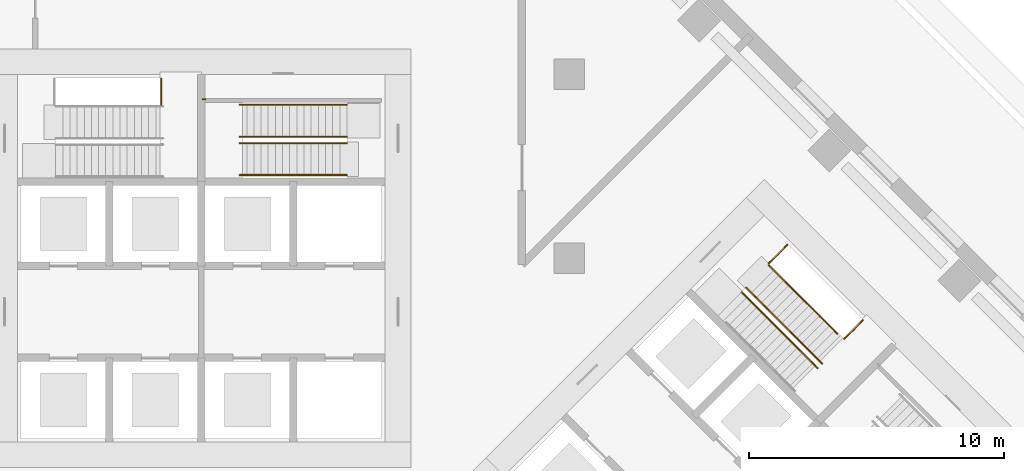
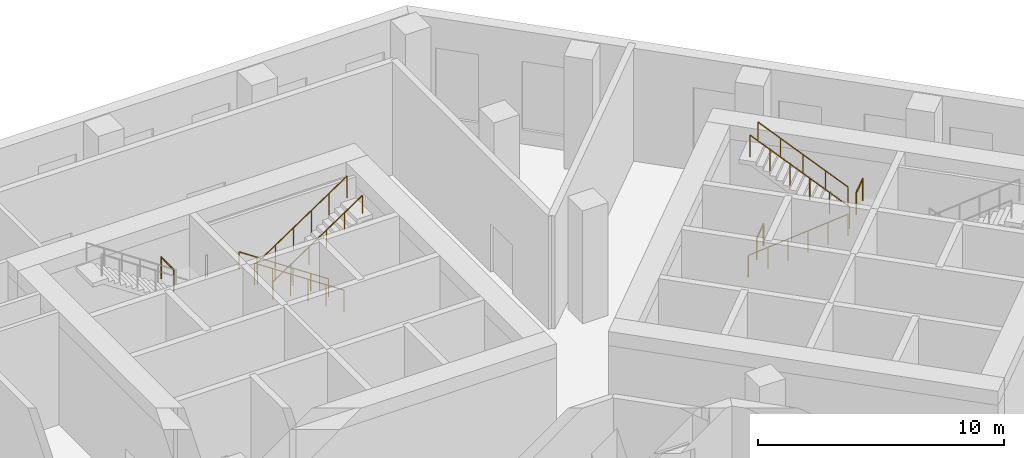
# One storey, part 14 of 15: 11 railings.
"""IFC4 building model written with IfcOpenShell, lengths in metres."""

from ifc_helpers import new_model, si_unit, direction, frame, origin, origin_2d, place, context, subcontext, project, spatial, circle, extrude, material, type_object, element, save


model = new_model("IFC4")

# Units and contexts
model_context = context("Model", 3, precision=1e-05, world=origin(), true_north=direction((0.0, 1.0)))
body_context = subcontext(model_context, "Body", "Model", "MODEL_VIEW")
ifc_project = project(units=[si_unit("LENGTHUNIT", "METRE"), si_unit("AREAUNIT", "SQUARE_METRE"), si_unit("VOLUMEUNIT", "CUBIC_METRE"), si_unit("PLANEANGLEUNIT", "RADIAN"), si_unit("MASSUNIT", "GRAM", prefix="KILO")], contexts=[model_context])

# Site, building, storey
site_placement = place(None, origin())
site = spatial("IfcSite", under=ifc_project, at=site_placement, CompositionType="ELEMENT")
building_placement = place(site_placement, origin())
building = spatial("IfcBuilding", under=site, at=building_placement, Name="Windrow Commons", CompositionType="ELEMENT")
storey_placement = place(building_placement, origin())
storey = spatial("IfcBuildingStorey", under=building, at=storey_placement, Name="L00", CompositionType="ELEMENT", Elevation=0.0)

# Railings
ifc_material_1 = material(Name="Steel S355", Category="steel")
railing_type_1 = type_object("IfcRailingType", Name="Core stair guard 1100", PredefinedType="GUARDRAIL", material=ifc_material_1)
railing_1_placement = place(storey_placement, frame((63.23, 63.6, 3.0)))
element("IfcRailing", 1, at=railing_1_placement, inside=storey, type_object=railing_type_1, Name="L00 ST-A1 stair guard 4", PredefinedType="GUARDRAIL", context=body_context, shape_type="SweptSolid", body=[
    extrude(circle(Radius=0.024, at=origin_2d()), frame((0.0, 0.0, 1.076), z_axis=(0.0, 1.0, 0.0), x_axis=(-1.0, 0.0, 0.0)), (0.0, 0.0, 1.0), 1.03),
    extrude(circle(Radius=0.021, at=origin_2d()), origin(), (0.0, 0.0, 1.0), 1.052),
    extrude(circle(Radius=0.021, at=origin_2d()), frame((0.0, 1.03, 0.0)), (0.0, 0.0, 1.0), 1.052),
])
railing_2_placement = place(storey_placement, frame((70.5, 62.355, 0.1875)))
element("IfcRailing", 2, at=railing_2_placement, inside=storey, type_object=railing_type_1, Name="L00 ST-A2 stair guard 1", PredefinedType="GUARDRAIL", context=body_context, shape_type="SweptSolid", body=[
    extrude(circle(Radius=0.024, at=origin_2d()), frame((0.0, 0.0, 1.076), z_axis=(-0.830907177, 0.0, 0.556411056), x_axis=(0.0, -1.0, 0.0)), (0.0, 0.0, 1.0), 5.0547),
    extrude(circle(Radius=0.021, at=origin_2d()), origin(), (0.0, 0.0, 1.0), 1.052),
    extrude(circle(Radius=0.021, at=origin_2d()), frame((-0.84, 0.0, 0.5625)), (0.0, 0.0, 1.0), 1.052),
    extrude(circle(Radius=0.021, at=origin_2d()), frame((-1.68, 0.0, 1.125)), (0.0, 0.0, 1.0), 1.052),
    extrude(circle(Radius=0.021, at=origin_2d()), frame((-2.52, 0.0, 1.6875)), (0.0, 0.0, 1.0), 1.052),
    extrude(circle(Radius=0.021, at=origin_2d()), frame((-3.36, 0.0, 2.25)), (0.0, 0.0, 1.0), 1.052),
    extrude(circle(Radius=0.021, at=origin_2d()), frame((-4.2, 0.0, 2.8125)), (0.0, 0.0, 1.0), 1.052),
])
railing_3_placement = place(storey_placement, frame((66.3, 62.105, 3.1875)))
element("IfcRailing", 3, at=railing_3_placement, inside=storey, type_object=railing_type_1, Name="L00 ST-A2 stair guard 2", PredefinedType="GUARDRAIL", context=body_context, shape_type="SweptSolid", body=[
    extrude(circle(Radius=0.024, at=origin_2d()), frame((0.0, 0.0, 1.076), z_axis=(0.830907177, 0.0, 0.556411056), x_axis=(0.0, 1.0, 0.0)), (0.0, 0.0, 1.0), 5.0547),
    extrude(circle(Radius=0.021, at=origin_2d()), origin(), (0.0, 0.0, 1.0), 1.052),
    extrude(circle(Radius=0.021, at=origin_2d()), frame((0.84, 0.0, 0.5625)), (0.0, 0.0, 1.0), 1.052),
    extrude(circle(Radius=0.021, at=origin_2d()), frame((1.68, 0.0, 1.125)), (0.0, 0.0, 1.0), 1.052),
    extrude(circle(Radius=0.021, at=origin_2d()), frame((2.52, 0.0, 1.6875)), (0.0, 0.0, 1.0), 1.052),
    extrude(circle(Radius=0.021, at=origin_2d()), frame((3.36, 0.0, 2.25)), (0.0, 0.0, 1.0), 1.052),
    extrude(circle(Radius=0.021, at=origin_2d()), frame((4.2, 0.0, 2.8125)), (0.0, 0.0, 1.0), 1.052),
])
railing_4_placement = place(storey_placement, frame((64.95, 63.825, 3.0)))
element("IfcRailing", 4, at=railing_4_placement, inside=storey, type_object=railing_type_1, Name="L00 ST-A2 stair guard 3", PredefinedType="GUARDRAIL", context=body_context, shape_type="SweptSolid", body=[
    extrude(circle(Radius=0.024, at=origin_2d()), frame((0.0, 0.0, 1.076), z_axis=(-1.0, 0.0, 0.0), x_axis=(0.0, -1.0, 0.0)), (0.0, 0.0, 1.0), 0.1),
    extrude(circle(Radius=0.021, at=origin_2d()), origin(), (0.0, 0.0, 1.0), 1.052),
    extrude(circle(Radius=0.021, at=origin_2d()), frame((-0.1, 0.0, 0.0)), (0.0, 0.0, 1.0), 1.052),
])
railing_5_placement = place(storey_placement, frame((85.9529, 56.2669, 0.1875)))
element("IfcRailing", 5, at=railing_5_placement, inside=storey, type_object=railing_type_1, Name="L00 ST-B1 stair guard 1", PredefinedType="GUARDRAIL", context=body_context, shape_type="SweptSolid", body=[
    extrude(circle(Radius=0.024, at=origin_2d()), frame((0.0, 0.0, 1.076), z_axis=(0.5875303006, -0.5875500841, 0.5564108595), x_axis=(0.7071186858, 0.7070948763, 0.0)), (0.0, 0.0, 1.0), 5.0547),
    extrude(circle(Radius=0.021, at=origin_2d()), origin(), (0.0, 0.0, 1.0), 1.052),
    extrude(circle(Radius=0.021, at=origin_2d()), frame((0.594, -0.594, 0.5625)), (0.0, 0.0, 1.0), 1.052),
    extrude(circle(Radius=0.021, at=origin_2d()), frame((1.1879, -1.188, 1.125)), (0.0, 0.0, 1.0), 1.052),
    extrude(circle(Radius=0.021, at=origin_2d()), frame((1.7819, -1.7819, 1.6875)), (0.0, 0.0, 1.0), 1.052),
    extrude(circle(Radius=0.021, at=origin_2d()), frame((2.3758, -2.3759, 2.25)), (0.0, 0.0, 1.0), 1.052),
    extrude(circle(Radius=0.021, at=origin_2d()), frame((2.9698, -2.9699, 2.8125)), (0.0, 0.0, 1.0), 1.052),
])
railing_6_placement = place(storey_placement, frame((89.0995, 53.4738, 3.1875)))
element("IfcRailing", 6, at=railing_6_placement, inside=storey, type_object=railing_type_1, Name="L00 ST-B1 stair guard 2", PredefinedType="GUARDRAIL", context=body_context, shape_type="SweptSolid", body=[
    extrude(circle(Radius=0.024, at=origin_2d()), frame((0.0, 0.0, 1.076), z_axis=(-0.5875432548, 0.5875432548, 0.5564043921), x_axis=(-0.7071067812, -0.7071067812, 0.0)), (0.0, 0.0, 1.0), 5.0548),
    extrude(circle(Radius=0.021, at=origin_2d()), origin(), (0.0, 0.0, 1.0), 1.052),
    extrude(circle(Radius=0.021, at=origin_2d()), frame((-0.594, 0.594, 0.5625)), (0.0, 0.0, 1.0), 1.052),
    extrude(circle(Radius=0.021, at=origin_2d()), frame((-1.188, 1.188, 1.125)), (0.0, 0.0, 1.0), 1.052),
    extrude(circle(Radius=0.021, at=origin_2d()), frame((-1.7819, 1.7819, 1.6875)), (0.0, 0.0, 1.0), 1.052),
    extrude(circle(Radius=0.021, at=origin_2d()), frame((-2.3759, 2.3759, 2.25)), (0.0, 0.0, 1.0), 1.052),
    extrude(circle(Radius=0.021, at=origin_2d()), frame((-2.9699, 2.9699, 2.8125)), (0.0, 0.0, 1.0), 1.052),
])
railing_7_placement = place(storey_placement, frame((87.0135, 57.3982, 0.0)))
element("IfcRailing", 7, at=railing_7_placement, inside=storey, type_object=railing_type_1, Name="L00 ST-B1 stair guard 3", PredefinedType="GUARDRAIL", context=body_context, shape_type="SweptSolid", body=[
    extrude(circle(Radius=0.024, at=origin_2d()), frame((0.0, 0.0, 1.076), z_axis=(0.7070582378, 0.7071553212, 0.0), x_axis=(-0.7071553212, 0.7070582378, 0.0)), (0.0, 0.0, 1.0), 1.03),
    extrude(circle(Radius=0.021, at=origin_2d()), origin(), (0.0, 0.0, 1.0), 1.052),
    extrude(circle(Radius=0.021, at=origin_2d()), frame((0.7283, 0.7284, 0.0)), (0.0, 0.0, 1.0), 1.052),
])
railing_8_placement = place(storey_placement, frame((89.9692, 54.4425, 3.0)))
element("IfcRailing", 8, at=railing_8_placement, inside=storey, type_object=railing_type_1, Name="L00 ST-B1 stair guard 4", PredefinedType="GUARDRAIL", context=body_context, shape_type="SweptSolid", body=[
    extrude(circle(Radius=0.024, at=origin_2d()), frame((0.0, 0.0, 1.076), z_axis=(0.7071067812, 0.7071067812, 0.0), x_axis=(-0.7071067812, 0.7071067812, 0.0)), (0.0, 0.0, 1.0), 1.0301),
    extrude(circle(Radius=0.021, at=origin_2d()), origin(), (0.0, 0.0, 1.0), 1.052),
    extrude(circle(Radius=0.021, at=origin_2d()), frame((0.7284, 0.7284, 0.0)), (0.0, 0.0, 1.0), 1.052),
])
ifc_material_2 = material(Name="Steel S355", Category="steel")
railing_type_2 = type_object("IfcRailingType", Name="Core stair handrail 900", PredefinedType="HANDRAIL", material=ifc_material_2)
railing_9_placement = place(storey_placement, frame((70.5, 63.605, 0.1875)))
element("IfcRailing", 9, at=railing_9_placement, inside=storey, type_object=railing_type_2, Name="L00 ST-A2 stair handrail 1", PredefinedType="HANDRAIL", context=body_context, shape_type="SweptSolid", body=[
    extrude(circle(Radius=0.024, at=origin_2d()), frame((0.0, 0.0, 0.876), z_axis=(-0.830907177, 0.0, 0.556411056), x_axis=(0.0, -1.0, 0.0)), (0.0, 0.0, 1.0), 5.0547),
    extrude(circle(Radius=0.021, at=origin_2d()), origin(), (0.0, 0.0, 1.0), 0.852),
    extrude(circle(Radius=0.021, at=origin_2d()), frame((-0.84, 0.0, 0.5625)), (0.0, 0.0, 1.0), 0.852),
    extrude(circle(Radius=0.021, at=origin_2d()), frame((-1.68, 0.0, 1.125)), (0.0, 0.0, 1.0), 0.852),
    extrude(circle(Radius=0.021, at=origin_2d()), frame((-2.52, 0.0, 1.6875)), (0.0, 0.0, 1.0), 0.852),
    extrude(circle(Radius=0.021, at=origin_2d()), frame((-3.36, 0.0, 2.25)), (0.0, 0.0, 1.0), 0.852),
    extrude(circle(Radius=0.021, at=origin_2d()), frame((-4.2, 0.0, 2.8125)), (0.0, 0.0, 1.0), 0.852),
])
railing_10_placement = place(storey_placement, frame((66.3, 60.855, 3.1875)))
element("IfcRailing", 10, at=railing_10_placement, inside=storey, type_object=railing_type_2, Name="L00 ST-A2 stair handrail 2", PredefinedType="HANDRAIL", context=body_context, shape_type="SweptSolid", body=[
    extrude(circle(Radius=0.024, at=origin_2d()), frame((0.0, 0.0, 0.876), z_axis=(0.830907177, 0.0, 0.556411056), x_axis=(0.0, 1.0, 0.0)), (0.0, 0.0, 1.0), 5.0547),
    extrude(circle(Radius=0.021, at=origin_2d()), origin(), (0.0, 0.0, 1.0), 0.852),
    extrude(circle(Radius=0.021, at=origin_2d()), frame((0.84, 0.0, 0.5625)), (0.0, 0.0, 1.0), 0.852),
    extrude(circle(Radius=0.021, at=origin_2d()), frame((1.68, 0.0, 1.125)), (0.0, 0.0, 1.0), 0.852),
    extrude(circle(Radius=0.021, at=origin_2d()), frame((2.52, 0.0, 1.6875)), (0.0, 0.0, 1.0), 0.852),
    extrude(circle(Radius=0.021, at=origin_2d()), frame((3.36, 0.0, 2.25)), (0.0, 0.0, 1.0), 0.852),
    extrude(circle(Radius=0.021, at=origin_2d()), frame((4.2, 0.0, 2.8125)), (0.0, 0.0, 1.0), 0.852),
])
railing_11_placement = place(storey_placement, frame((89.7005, 54.6405, 3.4554)))
element("IfcRailing", 11, at=railing_11_placement, inside=storey, type_object=railing_type_2, Name="L00 ST-B1 stair handrail 2", PredefinedType="HANDRAIL", context=body_context, shape_type="SweptSolid", body=[
    extrude(circle(Radius=0.024, at=origin_2d()), frame((0.0, 0.0, 0.876), z_axis=(-0.5875427724, 0.5875427724, 0.5564054108), x_axis=(-0.7071067812, -0.7071067812, 0.0)), (0.0, 0.0, 1.0), 4.5733),
    extrude(circle(Radius=0.021, at=origin_2d()), origin(), (0.0, 0.0, 1.0), 0.852),
    extrude(circle(Radius=0.021, at=origin_2d()), frame((-0.6718, 0.6717, 0.6361)), (0.0, 0.0, 1.0), 0.852),
    extrude(circle(Radius=0.021, at=origin_2d()), frame((-1.3435, 1.3435, 1.2723)), (0.0, 0.0, 1.0), 0.852),
    extrude(circle(Radius=0.021, at=origin_2d()), frame((-2.0153, 2.0152, 1.9084)), (0.0, 0.0, 1.0), 0.852),
    extrude(circle(Radius=0.021, at=origin_2d()), frame((-2.687, 2.687, 2.5446)), (0.0, 0.0, 1.0), 0.852),
])

save(model, "model.ifc")
